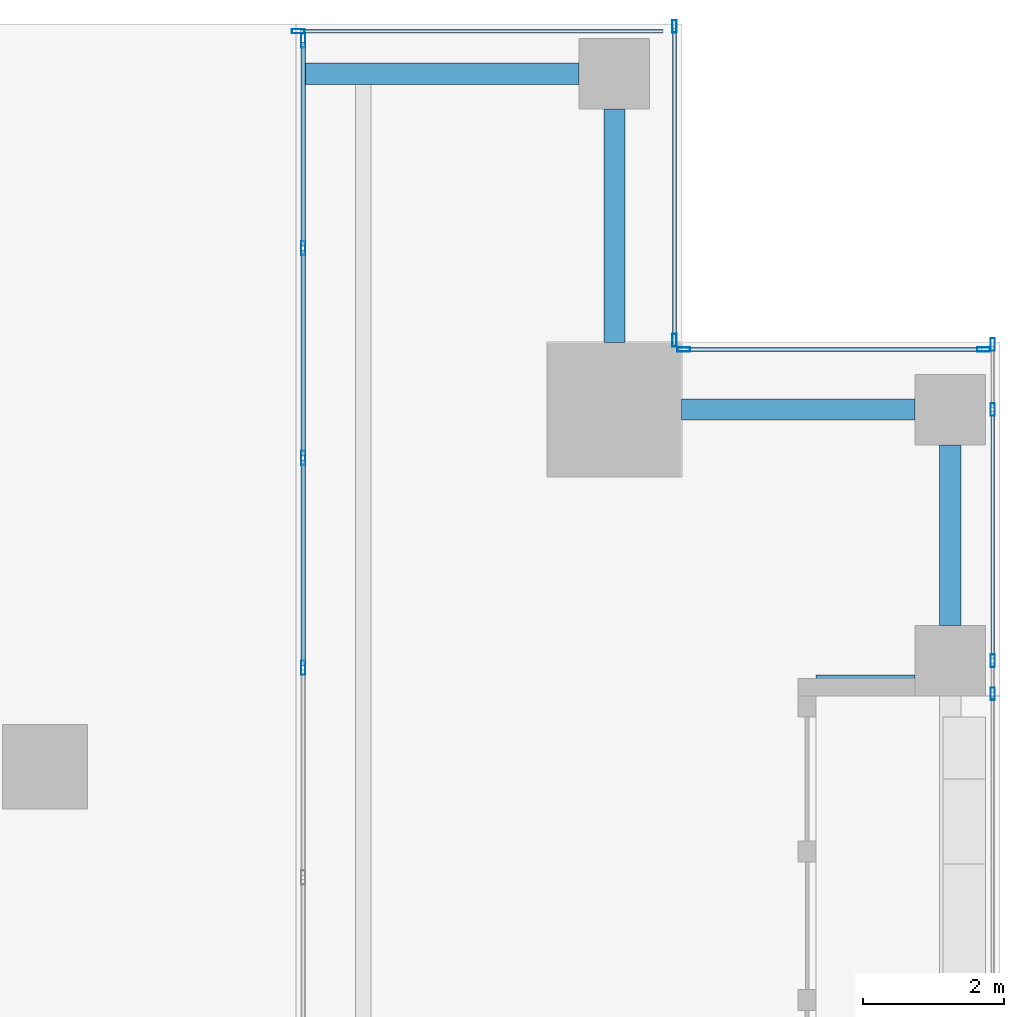
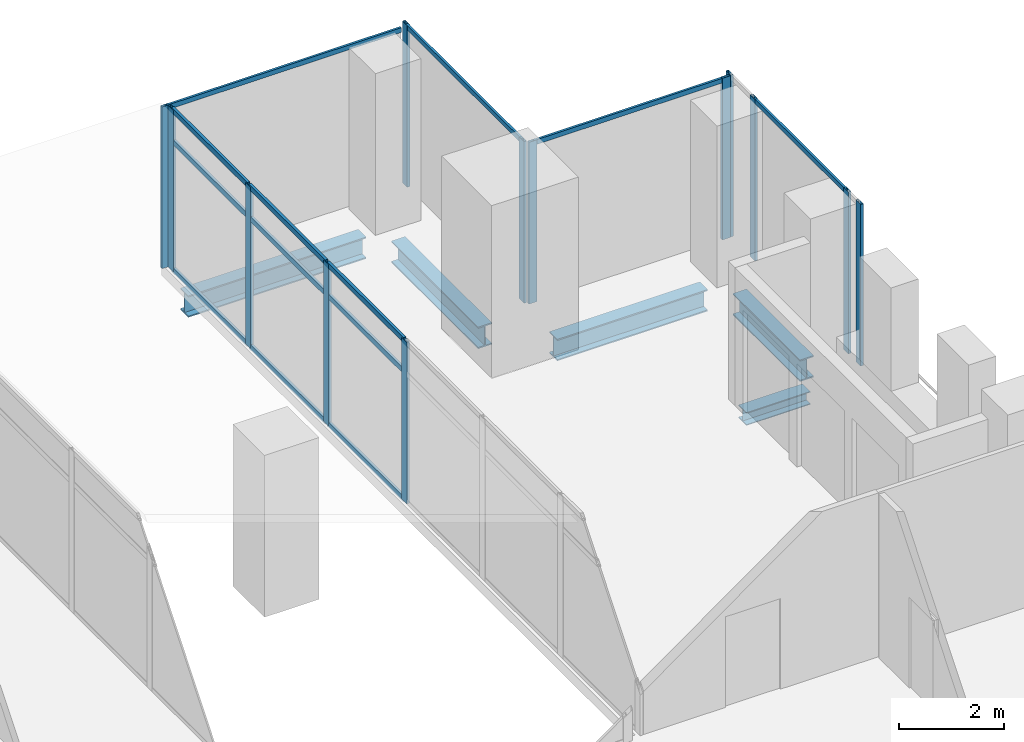
# One storey, part 27 of 40: 26 members, 5 beams, 5 elements without a shape of their own.
"""IFC4 building model written with IfcOpenShell, lengths in metres."""

from ifc_helpers import new_model, si_unit, direction, frame, origin, origin_2d, place, context, subcontext, project, spatial, hollow_rectangle, i_section, extrude, source, transform, mapped, material, material_profile, profile_set, type_object, element, aggregate, save


model = new_model("IFC4")

# Units and contexts
model_context = context("Model", 3, precision=1e-05, world=origin(), true_north=direction((0.0, 1.0)))
body_context = subcontext(model_context, "Body", "Model", "MODEL_VIEW")
ifc_project = project(units=[si_unit("LENGTHUNIT", "METRE"), si_unit("AREAUNIT", "SQUARE_METRE"), si_unit("VOLUMEUNIT", "CUBIC_METRE"), si_unit("PLANEANGLEUNIT", "RADIAN"), si_unit("MASSUNIT", "GRAM", prefix="KILO")], contexts=[model_context])

# Site, building, storey
site_placement = place(None, origin())
site = spatial("IfcSite", under=ifc_project, at=site_placement, CompositionType="ELEMENT")
building_placement = place(site_placement, origin())
building = spatial("IfcBuilding", under=site, at=building_placement, Name="Khomas Fold Tower", CompositionType="ELEMENT")
storey_placement = place(building_placement, frame((0.0, 0.0, 184.699951171875)))
storey = spatial("IfcBuildingStorey", under=building, at=storey_placement, Name="L40", CompositionType="ELEMENT", Elevation=184.699951171875)

# Beams
ifc_material_1 = material(Name="Steel S355", Category="steel")
ifc_material_profile_1 = material_profile(ifc_material_1, i_section(OverallWidth=0.300048828125, OverallDepth=0.5, WebThickness=0.014404296875, FlangeThickness=0.028076171875, at=origin_2d()), Name="HE 500 B")
ifc_profile_set_1 = profile_set([ifc_material_profile_1], Name="Steel S355")
beam_type_1 = type_object("IfcBeamType", Name="HE 500 B spandrel SB3", PredefinedType="SPANDREL", material=ifc_profile_set_1)
shared_shape_1 = source(origin(), body_context, "Body", "SweptSolid", [
    extrude(i_section(OverallWidth=0.300048828125, OverallDepth=0.5, WebThickness=0.014404296875, FlangeThickness=0.028076171875, at=origin_2d()), origin(), (0.0, 0.0, 1.0), 2.550048828125),
])
beam_1_placement = place(storey_placement, frame((50.300048828125, 42.5, -0.5), z_axis=(0.0, 1.0, 0.0), x_axis=(-1.0, 0.0, 0.0)))
element("IfcBeam", 1, at=beam_1_placement, inside=storey, type_object=beam_type_1, Name="SB3", PredefinedType="SPANDREL", context=body_context, shape_type="MappedRepresentation", body=[
    mapped(shared_shape_1, transform((0.0, 0.0, 0.0))),
])
shared_shape_2 = source(origin(), body_context, "Body", "SweptSolid", [
    extrude(i_section(OverallWidth=0.300048828125, OverallDepth=0.5, WebThickness=0.014404296875, FlangeThickness=0.028076171875, at=origin_2d()), origin(), (0.0, 0.0, 1.0), 3.300048828125),
])
for number, where, z_axis, x_axis, name in (
    (2, (46.5, 45.550048828125, -0.5), (1.0, 0.0, 0.0), (0.0, 1.0, 0.0), "SB3"),
    (3, (45.550048828125, 46.5, -0.5), (0.0, 1.0, 0.0), (-1.0, 0.0, 0.0), "SB3"),
):
    element("IfcBeam", number, at=place(storey_placement, frame(where, z_axis=z_axis, x_axis=x_axis)), inside=storey, type_object=beam_type_1, Name=name, PredefinedType="SPANDREL", context=body_context, shape_type="MappedRepresentation", body=[
        mapped(shared_shape_2, transform((0.0, 0.0, 0.0))),
    ])
ifc_material_2 = material(Name="Steel S355", Category="steel")
ifc_material_profile_2 = material_profile(ifc_material_2, i_section(OverallWidth=0.300048828125, OverallDepth=0.300048828125, WebThickness=0.010986328125, FlangeThickness=0.01904296875, at=origin_2d()), Name="HE 300 B")
ifc_profile_set_2 = profile_set([ifc_material_profile_2], Name="Steel S355")
beam_type_2 = type_object("IfcBeamType", Name="HE 300 B beam BB1", PredefinedType="BEAM", material=ifc_profile_set_2)
shared_shape_3 = source(origin(), body_context, "Body", "SweptSolid", [
    extrude(i_section(OverallWidth=0.300048828125, OverallDepth=0.300048828125, WebThickness=0.010986328125, FlangeThickness=0.01904296875, at=origin_2d()), origin(), (0.0, 0.0, 1.0), 1.400146484375),
])
beam_2_placement = place(storey_placement, frame((48.39990234375, 41.64990234375, -0.39990234375), z_axis=(1.0, 0.0, 0.0), x_axis=(0.0, 1.0, 0.0)))
element("IfcBeam", 4, at=beam_2_placement, inside=storey, type_object=beam_type_2, Name="BB1", PredefinedType="BEAM", context=body_context, shape_type="MappedRepresentation", body=[
    mapped(shared_shape_3, transform((0.0, 0.0, 0.0))),
])
shared_shape_4 = source(origin(), body_context, "Body", "SweptSolid", [
    extrude(i_section(OverallWidth=0.300048828125, OverallDepth=0.5, WebThickness=0.014404296875, FlangeThickness=0.028076171875, at=origin_2d()), origin(), (0.0, 0.0, 1.0), 3.900146484375),
])
beam_3_placement = place(storey_placement, frame((41.14990234375, 50.300048828125, -0.5), z_axis=(1.0, 0.0, 0.0), x_axis=(0.0, 1.0, 0.0)))
element("IfcBeam", 5, at=beam_3_placement, inside=storey, type_object=beam_type_1, Name="SB3", PredefinedType="SPANDREL", context=body_context, shape_type="MappedRepresentation", body=[
    mapped(shared_shape_4, transform((0.0, 0.0, 0.0))),
])

# Curtain wall, members
ifc_material_3 = material(Name="Aluminium framed double glazing", Category="aluminium")
curtain_wall_type_1 = type_object("IfcCurtainWallType", Name="SK-Unitised clear-glass wall, office floors CW2", PredefinedType="NOTDEFINED", material=ifc_material_3)
curtain_wall_1_placement = place(storey_placement, origin())
curtain_wall_1 = element("IfcCurtainWall", 6, at=curtain_wall_1_placement, inside=storey, type_object=curtain_wall_type_1, Name="CW2 run L40 08-1", PredefinedType="NOTDEFINED")
ifc_material_4 = material(Name="Aluminium", Category="aluminium")
ifc_material_profile_3 = material_profile(ifc_material_4, hollow_rectangle(XDim=0.06005859375, YDim=0.179931640625, WallThickness=0.00390625, at=origin_2d()), Name="SK-Unitised clear-glass wall, office floors mullion CW2-M")
ifc_profile_set_3 = profile_set([ifc_material_profile_3], Name="Aluminium")
member_type_1 = type_object("IfcMemberType", Name="SK-Unitised clear-glass wall, office floors mullion CW2-M", PredefinedType="MULLION", material=ifc_profile_set_3)
shared_shape_5 = source(origin(), body_context, "Body", "SweptSolid", [
    extrude(hollow_rectangle(XDim=0.06005859375, YDim=0.179931640625, WallThickness=0.00390625, at=origin_2d()), origin(), (0.0, 0.0, 1.0), 3.75),
])
member_1_placement = place(storey_placement, frame((50.89990234375, 41.530029296875, 0.0), z_axis=(0.0, 0.0, 1.0), x_axis=(-1.0, 0.0, 0.0)))
member_1 = element("IfcMember", 7, at=member_1_placement, type_object=member_type_1, Name="CW2 mullion 1", PredefinedType="MULLION", context=body_context, shape_type="MappedRepresentation", body=[
    mapped(shared_shape_5, transform((0.0, 0.0, 0.0))),
])
member_2_placement = place(storey_placement, frame((50.89990234375, 42.0, 0.0), z_axis=(0.0, 0.0, 1.0), x_axis=(-1.0, 0.0, 0.0)))
member_2 = element("IfcMember", 8, at=member_2_placement, type_object=member_type_1, Name="CW2 mullion 2", PredefinedType="MULLION", context=body_context, shape_type="MappedRepresentation", body=[
    mapped(shared_shape_5, transform((0.0, 0.0, 0.0))),
])
member_3_placement = place(storey_placement, frame((50.89990234375, 45.550048828125, 0.0), z_axis=(0.0, 0.0, 1.0), x_axis=(-1.0, 0.0, 0.0)))
member_3 = element("IfcMember", 9, at=member_3_placement, type_object=member_type_1, Name="CW2 mullion 3", PredefinedType="MULLION", context=body_context, shape_type="MappedRepresentation", body=[
    mapped(shared_shape_5, transform((0.0, 0.0, 0.0))),
])
member_4_placement = place(storey_placement, frame((50.89990234375, 46.469970703125, 0.0), z_axis=(0.0, 0.0, 1.0), x_axis=(-1.0, 0.0, 0.0)))
member_4 = element("IfcMember", 10, at=member_4_placement, type_object=member_type_1, Name="CW2 mullion 4", PredefinedType="MULLION", context=body_context, shape_type="MappedRepresentation", body=[
    mapped(shared_shape_5, transform((0.0, 0.0, 0.0))),
])

curtain_wall_2_placement = place(storey_placement, origin())
curtain_wall_2 = element("IfcCurtainWall", 11, at=curtain_wall_2_placement, inside=storey, type_object=curtain_wall_type_1, Name="CW2 corner return L40 09", PredefinedType="NOTDEFINED")
member_5_placement = place(storey_placement, frame((50.77001953125, 46.39990234375, 0.0), z_axis=(0.0, 0.0, 1.0), x_axis=(0.0, -1.0, 0.0)))
member_5 = element("IfcMember", 12, at=member_5_placement, type_object=member_type_1, Name="CW2 mullion 1", PredefinedType="MULLION", context=body_context, shape_type="MappedRepresentation", body=[
    mapped(shared_shape_5, transform((0.0, 0.0, 0.0))),
])
member_6_placement = place(storey_placement, frame((46.530029296875, 46.39990234375, 0.0), z_axis=(0.0, 0.0, 1.0), x_axis=(0.0, -1.0, 0.0)))
member_6 = element("IfcMember", 13, at=member_6_placement, type_object=member_type_1, Name="CW2 mullion 2", PredefinedType="MULLION", context=body_context, shape_type="MappedRepresentation", body=[
    mapped(shared_shape_5, transform((0.0, 0.0, 0.0))),
])

curtain_wall_3_placement = place(storey_placement, origin())
curtain_wall_3 = element("IfcCurtainWall", 14, at=curtain_wall_3_placement, inside=storey, type_object=curtain_wall_type_1, Name="CW2 corner return L40 10", PredefinedType="NOTDEFINED")
member_7_placement = place(storey_placement, frame((46.39990234375, 46.530029296875, 0.0), z_axis=(0.0, 0.0, 1.0), x_axis=(-1.0, 0.0, 0.0)))
member_7 = element("IfcMember", 15, at=member_7_placement, type_object=member_type_1, Name="CW2 mullion 1", PredefinedType="MULLION", context=body_context, shape_type="MappedRepresentation", body=[
    mapped(shared_shape_5, transform((0.0, 0.0, 0.0))),
])
member_8_placement = place(storey_placement, frame((46.39990234375, 50.969970703125, 0.0), z_axis=(0.0, 0.0, 1.0), x_axis=(-1.0, 0.0, 0.0)))
member_8 = element("IfcMember", 16, at=member_8_placement, type_object=member_type_1, Name="CW2 mullion 2", PredefinedType="MULLION", context=body_context, shape_type="MappedRepresentation", body=[
    mapped(shared_shape_5, transform((0.0, 0.0, 0.0))),
])

# Curtain wall, member
curtain_wall_4_placement = place(storey_placement, origin())
curtain_wall_4 = element("IfcCurtainWall", 17, at=curtain_wall_4_placement, inside=storey, type_object=curtain_wall_type_1, Name="CW2 run L40 11-0", PredefinedType="NOTDEFINED")
member_9_placement = place(storey_placement, frame((41.080078125, 50.89990234375, 0.0), z_axis=(0.0, 0.0, 1.0), x_axis=(0.0, -1.0, 0.0)))
member_9 = element("IfcMember", 18, at=member_9_placement, type_object=member_type_1, Name="CW2 mullion 2", PredefinedType="MULLION", context=body_context, shape_type="MappedRepresentation", body=[
    mapped(shared_shape_5, transform((0.0, 0.0, 0.0))),
])

# Member
ifc_material_5 = material(Name="Aluminium", Category="aluminium")
ifc_material_profile_4 = material_profile(ifc_material_5, hollow_rectangle(XDim=0.050048828125, YDim=0.110107421875, WallThickness=0.00390625, at=origin_2d()), Name="SK-Unitised clear-glass wall, office floors transom CW2-T")
ifc_profile_set_4 = profile_set([ifc_material_profile_4], Name="Aluminium")
member_type_2 = type_object("IfcMemberType", Name="SK-Unitised clear-glass wall, office floors transom CW2-T", PredefinedType="USERDEFINED", material=ifc_profile_set_4)
shared_shape_6 = source(origin(), body_context, "Body", "SweptSolid", [
    extrude(hollow_rectangle(XDim=0.050048828125, YDim=0.110107421875, WallThickness=0.00390625, at=origin_2d()), origin(), (0.0, 0.0, 1.0), 4.3798828125),
])
member_10_placement = place(storey_placement, frame((46.39990234375, 46.56005859375, 3.695068359375), z_axis=(0.0, 1.0, 0.0), x_axis=(-1.0, 0.0, 0.0)))
member_10 = element("IfcMember", 19, at=member_10_placement, type_object=member_type_2, Name="CW2 transom 1", ObjectType="TRANSOM", PredefinedType="USERDEFINED", context=body_context, shape_type="MappedRepresentation", body=[
    mapped(shared_shape_6, transform((0.0, 0.0, 0.0))),
])

aggregate(curtain_wall_3, [member_7, member_8, member_10])

shared_shape_7 = source(origin(), body_context, "Body", "SweptSolid", [
    extrude(hollow_rectangle(XDim=0.050048828125, YDim=0.110107421875, WallThickness=0.00390625, at=origin_2d()), origin(), (0.0, 0.0, 1.0), 3.489990234375),
])
member_11_placement = place(storey_placement, frame((50.89990234375, 42.030029296875, 3.695068359375), z_axis=(0.0, 1.0, 0.0), x_axis=(-1.0, 0.0, 0.0)))
member_11 = element("IfcMember", 20, at=member_11_placement, type_object=member_type_2, Name="CW2 transom 2", ObjectType="TRANSOM", PredefinedType="USERDEFINED", context=body_context, shape_type="MappedRepresentation", body=[
    mapped(shared_shape_7, transform((0.0, 0.0, 0.0))),
])

aggregate(curtain_wall_1, [member_1, member_2, member_3, member_4, member_11])

shared_shape_8 = source(origin(), body_context, "Body", "SweptSolid", [
    extrude(hollow_rectangle(XDim=0.050048828125, YDim=0.110107421875, WallThickness=0.00390625, at=origin_2d()), origin(), (0.0, 0.0, 1.0), 4.179931640625),
])
member_12_placement = place(storey_placement, frame((50.739990234375, 46.39990234375, 3.695068359375), z_axis=(-1.0, 0.0, 0.0), x_axis=(0.0, -1.0, 0.0)))
member_12 = element("IfcMember", 21, at=member_12_placement, type_object=member_type_2, Name="CW2 transom 1", ObjectType="TRANSOM", PredefinedType="USERDEFINED", context=body_context, shape_type="MappedRepresentation", body=[
    mapped(shared_shape_8, transform((0.0, 0.0, 0.0))),
])

aggregate(curtain_wall_2, [member_5, member_6, member_12])

shared_shape_9 = source(origin(), body_context, "Body", "SweptSolid", [
    extrude(hollow_rectangle(XDim=0.050048828125, YDim=0.110107421875, WallThickness=0.00390625, at=origin_2d()), origin(), (0.0, 0.0, 1.0), 5.1298828125),
])
member_13_placement = place(storey_placement, frame((46.239990234375, 50.89990234375, 3.695068359375), z_axis=(-1.0, 0.0, 0.0), x_axis=(0.0, -1.0, 0.0)))
member_13 = element("IfcMember", 22, at=member_13_placement, type_object=member_type_2, Name="CW2 transom 1", ObjectType="TRANSOM", PredefinedType="USERDEFINED", context=body_context, shape_type="MappedRepresentation", body=[
    mapped(shared_shape_9, transform((0.0, 0.0, 0.0))),
])

aggregate(curtain_wall_4, [member_9, member_13])

# Curtain wall, members
ifc_material_6 = material(Name="Aluminium framed double glazing", Category="aluminium")
curtain_wall_type_2 = type_object("IfcCurtainWallType", Name="Notch glazing GN-CW", PredefinedType="NOTDEFINED", material=ifc_material_6)
curtain_wall_5_placement = place(storey_placement, origin())
curtain_wall_5 = element("IfcCurtainWall", 23, at=curtain_wall_5_placement, inside=storey, type_object=curtain_wall_type_2, Name="Notch glazing run", PredefinedType="NOTDEFINED")
ifc_material_7 = material(Name="Aluminium", Category="aluminium")
ifc_material_profile_5 = material_profile(ifc_material_7, hollow_rectangle(XDim=0.06005859375, YDim=0.1201171875, WallThickness=0.00390625, at=origin_2d()), Name="Notch glazing transom GN-CW-T")
ifc_profile_set_5 = profile_set([ifc_material_profile_5], Name="Aluminium")
member_type_3 = type_object("IfcMemberType", Name="Notch glazing transom GN-CW-T", PredefinedType="USERDEFINED", material=ifc_profile_set_5)
shared_shape_10 = source(origin(), body_context, "Body", "SweptSolid", [
    extrude(hollow_rectangle(XDim=0.06005859375, YDim=0.1201171875, WallThickness=0.00390625, at=origin_2d()), origin(), (0.0, 0.0, 1.0), 2.876708984375),
])
member_14_placement = place(storey_placement, frame((41.14990234375, 50.739990234375, 0.030029296875), z_axis=(0.0, -1.0, 0.0), x_axis=(1.0, 0.0, 0.0)))
member_14 = element("IfcMember", 24, at=member_14_placement, type_object=member_type_3, Name="GN-CW transom 1.1", ObjectType="TRANSOM", PredefinedType="USERDEFINED", context=body_context, shape_type="MappedRepresentation", body=[
    mapped(shared_shape_10, transform((0.0, 0.0, 0.0))),
])
member_15_placement = place(storey_placement, frame((41.14990234375, 50.739990234375, 3.0), z_axis=(0.0, -1.0, 0.0), x_axis=(1.0, 0.0, 0.0)))
member_15 = element("IfcMember", 25, at=member_15_placement, type_object=member_type_3, Name="GN-CW transom 1.2", ObjectType="TRANSOM", PredefinedType="USERDEFINED", context=body_context, shape_type="MappedRepresentation", body=[
    mapped(shared_shape_10, transform((0.0, 0.0, 0.0))),
])
member_16_placement = place(storey_placement, frame((41.14990234375, 50.739990234375, 3.719970703125), z_axis=(0.0, -1.0, 0.0), x_axis=(1.0, 0.0, 0.0)))
member_16 = element("IfcMember", 26, at=member_16_placement, type_object=member_type_3, Name="GN-CW transom 1.3", ObjectType="TRANSOM", PredefinedType="USERDEFINED", context=body_context, shape_type="MappedRepresentation", body=[
    mapped(shared_shape_10, transform((0.0, 0.0, 0.0))),
])
shared_shape_11 = source(origin(), body_context, "Body", "SweptSolid", [
    extrude(hollow_rectangle(XDim=0.06005859375, YDim=0.1201171875, WallThickness=0.00390625, at=origin_2d()), origin(), (0.0, 0.0, 1.0), 2.90673828125),
])
member_17_placement = place(storey_placement, frame((41.14990234375, 44.836669921875, 0.030029296875), z_axis=(0.0, -1.0, 0.0), x_axis=(1.0, 0.0, 0.0)))
member_17 = element("IfcMember", 27, at=member_17_placement, type_object=member_type_3, Name="GN-CW transom 3.1", ObjectType="TRANSOM", PredefinedType="USERDEFINED", context=body_context, shape_type="MappedRepresentation", body=[
    mapped(shared_shape_11, transform((0.0, 0.0, 0.0))),
])
member_18_placement = place(storey_placement, frame((41.14990234375, 44.836669921875, 3.0), z_axis=(0.0, -1.0, 0.0), x_axis=(1.0, 0.0, 0.0)))
member_18 = element("IfcMember", 28, at=member_18_placement, type_object=member_type_3, Name="GN-CW transom 3.2", ObjectType="TRANSOM", PredefinedType="USERDEFINED", context=body_context, shape_type="MappedRepresentation", body=[
    mapped(shared_shape_11, transform((0.0, 0.0, 0.0))),
])
member_19_placement = place(storey_placement, frame((41.14990234375, 44.836669921875, 3.719970703125), z_axis=(0.0, -1.0, 0.0), x_axis=(1.0, 0.0, 0.0)))
member_19 = element("IfcMember", 29, at=member_19_placement, type_object=member_type_3, Name="GN-CW transom 3.3", ObjectType="TRANSOM", PredefinedType="USERDEFINED", context=body_context, shape_type="MappedRepresentation", body=[
    mapped(shared_shape_11, transform((0.0, 0.0, 0.0))),
])
shared_shape_12 = source(origin(), body_context, "Body", "SweptSolid", [
    extrude(hollow_rectangle(XDim=0.06005859375, YDim=0.1201171875, WallThickness=0.00390625, at=origin_2d()), origin(), (0.0, 0.0, 1.0), 2.906494140625),
])
member_20_placement = place(storey_placement, frame((41.14990234375, 47.80322265625, 0.030029296875), z_axis=(0.0, -1.0, 0.0), x_axis=(1.0, 0.0, 0.0)))
member_20 = element("IfcMember", 30, at=member_20_placement, type_object=member_type_3, Name="GN-CW transom 2.1", ObjectType="TRANSOM", PredefinedType="USERDEFINED", context=body_context, shape_type="MappedRepresentation", body=[
    mapped(shared_shape_12, transform((0.0, 0.0, 0.0))),
])
member_21_placement = place(storey_placement, frame((41.14990234375, 47.80322265625, 3.0), z_axis=(0.0, -1.0, 0.0), x_axis=(1.0, 0.0, 0.0)))
member_21 = element("IfcMember", 31, at=member_21_placement, type_object=member_type_3, Name="GN-CW transom 2.2", ObjectType="TRANSOM", PredefinedType="USERDEFINED", context=body_context, shape_type="MappedRepresentation", body=[
    mapped(shared_shape_12, transform((0.0, 0.0, 0.0))),
])
member_22_placement = place(storey_placement, frame((41.14990234375, 47.80322265625, 3.719970703125), z_axis=(0.0, -1.0, 0.0), x_axis=(1.0, 0.0, 0.0)))
member_22 = element("IfcMember", 32, at=member_22_placement, type_object=member_type_3, Name="GN-CW transom 2.3", ObjectType="TRANSOM", PredefinedType="USERDEFINED", context=body_context, shape_type="MappedRepresentation", body=[
    mapped(shared_shape_12, transform((0.0, 0.0, 0.0))),
])
ifc_material_8 = material(Name="Aluminium", Category="aluminium")
ifc_material_profile_6 = material_profile(ifc_material_8, hollow_rectangle(XDim=0.06005859375, YDim=0.199951171875, WallThickness=0.00390625, at=origin_2d()), Name="Notch glazing mullion GN-CW-M")
ifc_profile_set_6 = profile_set([ifc_material_profile_6], Name="Aluminium")
member_type_4 = type_object("IfcMemberType", Name="Notch glazing mullion GN-CW-M", PredefinedType="MULLION", material=ifc_profile_set_6)
shared_shape_13 = source(origin(), body_context, "Body", "SweptSolid", [
    extrude(hollow_rectangle(XDim=0.06005859375, YDim=0.199951171875, WallThickness=0.00390625, at=origin_2d()), origin(), (0.0, 0.0, 1.0), 3.75),
])
member_23_placement = place(storey_placement, frame((41.14990234375, 50.77001953125, 0.0), z_axis=(0.0, 0.0, 1.0), x_axis=(1.0, 0.0, 0.0)))
member_23 = element("IfcMember", 33, at=member_23_placement, type_object=member_type_4, Name="GN-CW mullion 1", PredefinedType="MULLION", context=body_context, shape_type="MappedRepresentation", body=[
    mapped(shared_shape_13, transform((0.0, 0.0, 0.0))),
])
member_24_placement = place(storey_placement, frame((41.14990234375, 47.833251953125, 0.0), z_axis=(0.0, 0.0, 1.0), x_axis=(1.0, 0.0, 0.0)))
member_24 = element("IfcMember", 34, at=member_24_placement, type_object=member_type_4, Name="GN-CW mullion 2", PredefinedType="MULLION", context=body_context, shape_type="MappedRepresentation", body=[
    mapped(shared_shape_13, transform((0.0, 0.0, 0.0))),
])
member_25_placement = place(storey_placement, frame((41.14990234375, 44.86669921875, 0.0), z_axis=(0.0, 0.0, 1.0), x_axis=(1.0, 0.0, 0.0)))
member_25 = element("IfcMember", 35, at=member_25_placement, type_object=member_type_4, Name="GN-CW mullion 3", PredefinedType="MULLION", context=body_context, shape_type="MappedRepresentation", body=[
    mapped(shared_shape_13, transform((0.0, 0.0, 0.0))),
])
member_26_placement = place(storey_placement, frame((41.14990234375, 41.89990234375, 0.0), z_axis=(0.0, 0.0, 1.0), x_axis=(1.0, 0.0, 0.0)))
member_26 = element("IfcMember", 36, at=member_26_placement, type_object=member_type_4, Name="GN-CW mullion 4", PredefinedType="MULLION", context=body_context, shape_type="MappedRepresentation", body=[
    mapped(shared_shape_13, transform((0.0, 0.0, 0.0))),
])
aggregate(curtain_wall_5, [member_23, member_24, member_25, member_26, member_14, member_15, member_16, member_20, member_21, member_22, member_17, member_18, member_19])

save(model, "model.ifc")
